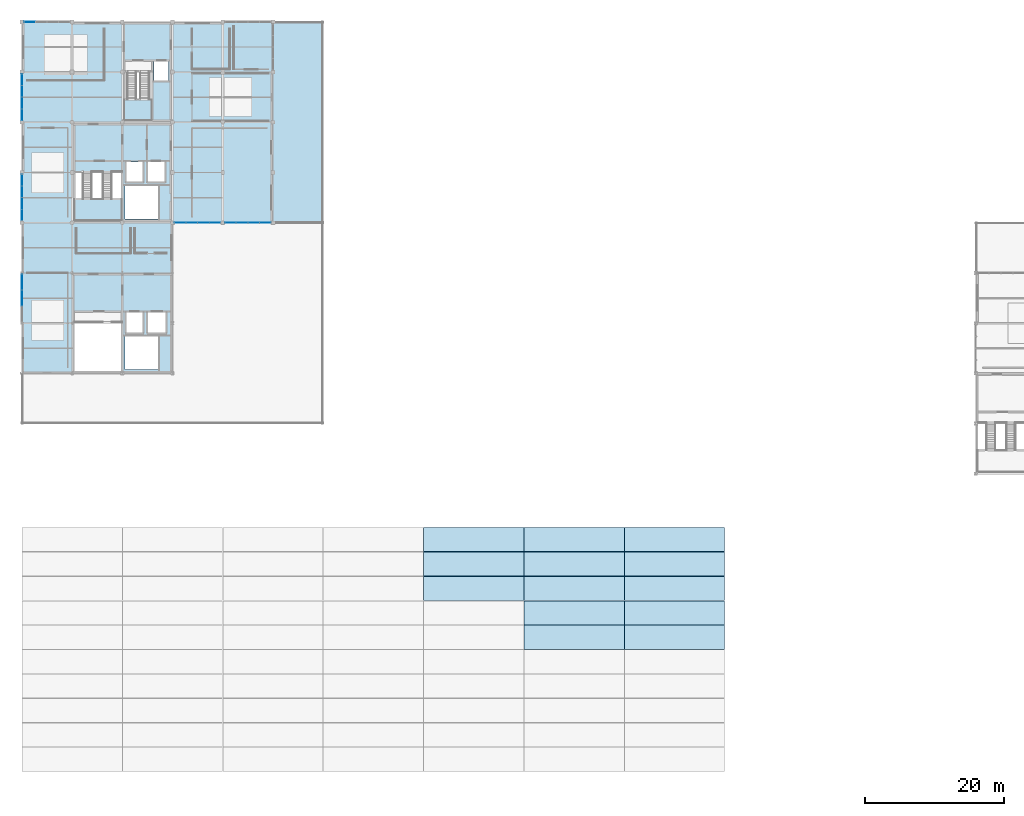
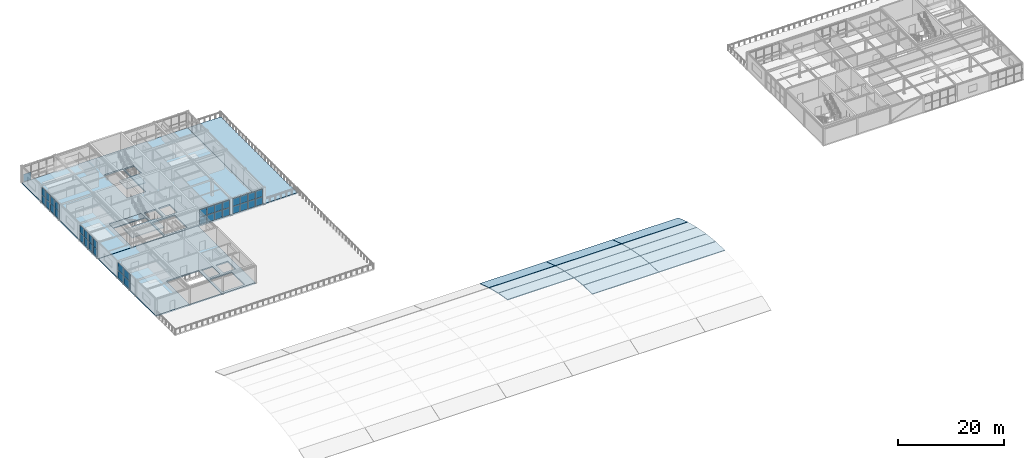
# One storey, part 15 of 30: 37 plates, 19 slabs, 8 elements without a shape of their own.
"""IFC4 building model written with IfcOpenShell, lengths in metres."""

from ifc_helpers import new_model, si_unit, direction, frame, origin, origin_2d, place, context, subcontext, project, spatial, polyline, rectangle, outline, extrude, material, layer, layer_set, type_object, element, aggregate, save


model = new_model("IFC4")

# Units and contexts
model_context = context("Model", 3, precision=1e-05, world=origin(), true_north=direction((0.0, 1.0)))
body_context = subcontext(model_context, "Body", "Model", "MODEL_VIEW")
ifc_project = project(units=[si_unit("LENGTHUNIT", "METRE"), si_unit("AREAUNIT", "SQUARE_METRE"), si_unit("VOLUMEUNIT", "CUBIC_METRE"), si_unit("PLANEANGLEUNIT", "RADIAN"), si_unit("MASSUNIT", "GRAM", prefix="KILO")], contexts=[model_context])

# Site, building, storey
site_placement = place(None, origin())
site = spatial("IfcSite", under=ifc_project, at=site_placement, CompositionType="ELEMENT")
building_placement = place(site_placement, origin())
building = spatial("IfcBuilding", under=site, at=building_placement, Name="Leyfeld Transit Interchange", CompositionType="ELEMENT")
storey_placement = place(building_placement, frame((0.0, 0.0, 13.800048828125)))
storey = spatial("IfcBuildingStorey", under=building, at=storey_placement, Name="L03", CompositionType="ELEMENT", Elevation=13.800048828125)

# Curtain wall, plates
ifc_material_1 = material(Name="Anodised aluminium EN AW-6060 T66", Category="aluminium")
curtain_wall_type_1 = type_object("IfcCurtainWallType", Name="CW-SYS-CYC-7200", PredefinedType="NOTDEFINED", material=ifc_material_1)
curtain_wall_1_placement = place(storey_placement, origin())
curtain_wall_1 = element("IfcCurtainWall", 1, at=curtain_wall_1_placement, inside=storey, type_object=curtain_wall_type_1, Name="Curtain Wall CW-L03-120", PredefinedType="NOTDEFINED")
ifc_material_2 = material(Name="Triple low-E insulated glazing", Category="glass")
ifc_layer_1 = layer(ifc_material_2, 0.0380859375, Name="Triple low-E insulated glazing")
ifc_layer_set_1 = layer_set([ifc_layer_1], Name="Triple low-E insulated glazing")
plate_type_1 = type_object("IfcPlateType", Name="CW-PNL-GLZ-38", PredefinedType="CURTAIN_PANEL", material=ifc_layer_set_1)
plate_1_placement = place(storey_placement, frame((0.0, 82.79248046875, 0.0634765625), z_axis=(0.0, 0.0, 1.0), x_axis=(0.0, 1.0, 0.0)))
plate_1 = element("IfcPlate", 2, at=plate_1_placement, type_object=plate_type_1, Name="Glazed Curtain Panel CW-L03-120-P02_1", PredefinedType="CURTAIN_PANEL", context=body_context, shape_type="SweptSolid", body=[
    extrude(rectangle(XDim=2.246337890625, YDim=0.0380859375, at=origin_2d()), origin(), (0.0, 0.0, 1.0), 1.74560546875),
])
plate_2_placement = place(storey_placement, frame((0.0, 82.79248046875, 1.870849609375), z_axis=(0.0, 0.0, 1.0), x_axis=(0.0, 1.0, 0.0)))
plate_2 = element("IfcPlate", 3, at=plate_2_placement, type_object=plate_type_1, Name="Glazed Curtain Panel CW-L03-120-P02_2", PredefinedType="CURTAIN_PANEL", context=body_context, shape_type="SweptSolid", body=[
    extrude(rectangle(XDim=2.246337890625, YDim=0.0380859375, at=origin_2d()), origin(), (0.0, 0.0, 1.0), 1.74560546875),
])
plate_3_placement = place(storey_placement, frame((0.0, 85.084716796875, 0.0634765625), z_axis=(0.0, 0.0, 1.0), x_axis=(0.0, 1.0, 0.0)))
plate_3 = element("IfcPlate", 4, at=plate_3_placement, type_object=plate_type_1, Name="Glazed Curtain Panel CW-L03-120-P03_1", PredefinedType="CURTAIN_PANEL", context=body_context, shape_type="SweptSolid", body=[
    extrude(rectangle(XDim=2.2138671875, YDim=0.0380859375, at=origin_2d()), origin(), (0.0, 0.0, 1.0), 1.74560546875),
])
plate_4_placement = place(storey_placement, frame((0.0, 85.084716796875, 1.870849609375), z_axis=(0.0, 0.0, 1.0), x_axis=(0.0, 1.0, 0.0)))
plate_4 = element("IfcPlate", 5, at=plate_4_placement, type_object=plate_type_1, Name="Glazed Curtain Panel CW-L03-120-P03_2", PredefinedType="CURTAIN_PANEL", context=body_context, shape_type="SweptSolid", body=[
    extrude(rectangle(XDim=2.2138671875, YDim=0.0380859375, at=origin_2d()), origin(), (0.0, 0.0, 1.0), 1.74560546875),
])
aggregate(curtain_wall_1, [plate_1, plate_2, plate_3, plate_4])

curtain_wall_type_2 = type_object("IfcCurtainWallType", Name="CW-SYS-OPS-7200", PredefinedType="NOTDEFINED", material=ifc_material_1)
curtain_wall_2_placement = place(storey_placement, origin())
curtain_wall_2 = element("IfcCurtainWall", 6, at=curtain_wall_2_placement, inside=storey, type_object=curtain_wall_type_2, Name="Curtain Wall CW-L03-121", PredefinedType="NOTDEFINED")
ifc_layer_2 = layer(ifc_material_2, 0.0439453125, Name="Triple low-E insulated glazing")
ifc_layer_set_2 = layer_set([ifc_layer_2], Name="Triple low-E insulated glazing")
plate_type_2 = type_object("IfcPlateType", Name="CW-PNL-GLZ-44", PredefinedType="CURTAIN_PANEL", material=ifc_layer_set_2)
plate_5_placement = place(storey_placement, frame((0.0, 94.715087890625, 0.0634765625), z_axis=(0.0, 0.0, 1.0), x_axis=(0.0, 1.0, 0.0)))
plate_5 = element("IfcPlate", 7, at=plate_5_placement, type_object=plate_type_2, Name="Glazed Curtain Panel CW-L03-121-P01_1", PredefinedType="CURTAIN_PANEL", context=body_context, shape_type="SweptSolid", body=[
    extrude(rectangle(XDim=1.572998046875, YDim=0.0439453125, at=origin_2d()), origin(), (0.0, 0.0, 1.0), 1.70556640625),
])
plate_6_placement = place(storey_placement, frame((0.0, 94.715087890625, 1.8310546875), z_axis=(0.0, 0.0, 1.0), x_axis=(0.0, 1.0, 0.0)))
plate_6 = element("IfcPlate", 8, at=plate_6_placement, type_object=plate_type_2, Name="Glazed Curtain Panel CW-L03-121-P01_2", PredefinedType="CURTAIN_PANEL", context=body_context, shape_type="SweptSolid", body=[
    extrude(rectangle(XDim=1.572998046875, YDim=0.0439453125, at=origin_2d()), origin(), (0.0, 0.0, 1.0), 1.70556640625),
])
plate_7_placement = place(storey_placement, frame((0.0, 96.3662109375, 0.0634765625), z_axis=(0.0, 0.0, 1.0), x_axis=(0.0, 1.0, 0.0)))
plate_7 = element("IfcPlate", 9, at=plate_7_placement, type_object=plate_type_2, Name="Glazed Curtain Panel CW-L03-121-P02_1", PredefinedType="CURTAIN_PANEL", context=body_context, shape_type="SweptSolid", body=[
    extrude(rectangle(XDim=1.60546875, YDim=0.0439453125, at=origin_2d()), origin(), (0.0, 0.0, 1.0), 1.70556640625),
])
plate_8_placement = place(storey_placement, frame((0.0, 96.3662109375, 1.8310546875), z_axis=(0.0, 0.0, 1.0), x_axis=(0.0, 1.0, 0.0)))
plate_8 = element("IfcPlate", 10, at=plate_8_placement, type_object=plate_type_2, Name="Glazed Curtain Panel CW-L03-121-P02_2", PredefinedType="CURTAIN_PANEL", context=body_context, shape_type="SweptSolid", body=[
    extrude(rectangle(XDim=1.60546875, YDim=0.0439453125, at=origin_2d()), origin(), (0.0, 0.0, 1.0), 1.70556640625),
])
plate_9_placement = place(storey_placement, frame((0.0, 98.03369140625, 0.0634765625), z_axis=(0.0, 0.0, 1.0), x_axis=(0.0, 1.0, 0.0)))
plate_9 = element("IfcPlate", 11, at=plate_9_placement, type_object=plate_type_2, Name="Glazed Curtain Panel CW-L03-121-P03_1", PredefinedType="CURTAIN_PANEL", context=body_context, shape_type="SweptSolid", body=[
    extrude(rectangle(XDim=1.60546875, YDim=0.0439453125, at=origin_2d()), origin(), (0.0, 0.0, 1.0), 1.70556640625),
])
plate_10_placement = place(storey_placement, frame((0.0, 98.03369140625, 1.8310546875), z_axis=(0.0, 0.0, 1.0), x_axis=(0.0, 1.0, 0.0)))
plate_10 = element("IfcPlate", 12, at=plate_10_placement, type_object=plate_type_2, Name="Glazed Curtain Panel CW-L03-121-P03_2", PredefinedType="CURTAIN_PANEL", context=body_context, shape_type="SweptSolid", body=[
    extrude(rectangle(XDim=1.60546875, YDim=0.0439453125, at=origin_2d()), origin(), (0.0, 0.0, 1.0), 1.70556640625),
])
plate_11_placement = place(storey_placement, frame((0.0, 99.68505859375, 0.0634765625), z_axis=(0.0, 0.0, 1.0), x_axis=(0.0, 1.0, 0.0)))
plate_11 = element("IfcPlate", 13, at=plate_11_placement, type_object=plate_type_2, Name="Glazed Curtain Panel CW-L03-121-P04_1", PredefinedType="CURTAIN_PANEL", context=body_context, shape_type="SweptSolid", body=[
    extrude(rectangle(XDim=1.572998046875, YDim=0.0439453125, at=origin_2d()), origin(), (0.0, 0.0, 1.0), 1.70556640625),
])
plate_12_placement = place(storey_placement, frame((0.0, 99.68505859375, 1.8310546875), z_axis=(0.0, 0.0, 1.0), x_axis=(0.0, 1.0, 0.0)))
plate_12 = element("IfcPlate", 14, at=plate_12_placement, type_object=plate_type_2, Name="Glazed Curtain Panel CW-L03-121-P04_2", PredefinedType="CURTAIN_PANEL", context=body_context, shape_type="SweptSolid", body=[
    extrude(rectangle(XDim=1.572998046875, YDim=0.0439453125, at=origin_2d()), origin(), (0.0, 0.0, 1.0), 1.70556640625),
])
aggregate(curtain_wall_2, [plate_5, plate_6, plate_7, plate_8, plate_9, plate_10, plate_11, plate_12])

curtain_wall_3_placement = place(storey_placement, origin())
curtain_wall_3 = element("IfcCurtainWall", 15, at=curtain_wall_3_placement, inside=storey, type_object=curtain_wall_type_2, Name="Curtain Wall CW-L03-122", PredefinedType="NOTDEFINED")
plate_13_placement = place(storey_placement, frame((0.0, 109.114990234375, 0.0634765625), z_axis=(0.0, 0.0, 1.0), x_axis=(0.0, 1.0, 0.0)))
plate_13 = element("IfcPlate", 16, at=plate_13_placement, type_object=plate_type_2, Name="Glazed Curtain Panel CW-L03-122-P01_1", PredefinedType="CURTAIN_PANEL", context=body_context, shape_type="SweptSolid", body=[
    extrude(rectangle(XDim=1.572998046875, YDim=0.0439453125, at=origin_2d()), origin(), (0.0, 0.0, 1.0), 1.70556640625),
])
plate_14_placement = place(storey_placement, frame((0.0, 109.114990234375, 1.8310546875), z_axis=(0.0, 0.0, 1.0), x_axis=(0.0, 1.0, 0.0)))
plate_14 = element("IfcPlate", 17, at=plate_14_placement, type_object=plate_type_2, Name="Glazed Curtain Panel CW-L03-122-P01_2", PredefinedType="CURTAIN_PANEL", context=body_context, shape_type="SweptSolid", body=[
    extrude(rectangle(XDim=1.572998046875, YDim=0.0439453125, at=origin_2d()), origin(), (0.0, 0.0, 1.0), 1.70556640625),
])
plate_15_placement = place(storey_placement, frame((0.0, 110.76611328125, 0.0634765625), z_axis=(0.0, 0.0, 1.0), x_axis=(0.0, 1.0, 0.0)))
plate_15 = element("IfcPlate", 18, at=plate_15_placement, type_object=plate_type_2, Name="Glazed Curtain Panel CW-L03-122-P02_1", PredefinedType="CURTAIN_PANEL", context=body_context, shape_type="SweptSolid", body=[
    extrude(rectangle(XDim=1.60546875, YDim=0.0439453125, at=origin_2d()), origin(), (0.0, 0.0, 1.0), 1.70556640625),
])
plate_16_placement = place(storey_placement, frame((0.0, 110.76611328125, 1.8310546875), z_axis=(0.0, 0.0, 1.0), x_axis=(0.0, 1.0, 0.0)))
plate_16 = element("IfcPlate", 19, at=plate_16_placement, type_object=plate_type_2, Name="Glazed Curtain Panel CW-L03-122-P02_2", PredefinedType="CURTAIN_PANEL", context=body_context, shape_type="SweptSolid", body=[
    extrude(rectangle(XDim=1.60546875, YDim=0.0439453125, at=origin_2d()), origin(), (0.0, 0.0, 1.0), 1.70556640625),
])
plate_17_placement = place(storey_placement, frame((0.0, 112.433837890625, 0.0634765625), z_axis=(0.0, 0.0, 1.0), x_axis=(0.0, 1.0, 0.0)))
plate_17 = element("IfcPlate", 20, at=plate_17_placement, type_object=plate_type_2, Name="Glazed Curtain Panel CW-L03-122-P03_1", PredefinedType="CURTAIN_PANEL", context=body_context, shape_type="SweptSolid", body=[
    extrude(rectangle(XDim=1.60546875, YDim=0.0439453125, at=origin_2d()), origin(), (0.0, 0.0, 1.0), 1.70556640625),
])
plate_18_placement = place(storey_placement, frame((0.0, 112.433837890625, 1.8310546875), z_axis=(0.0, 0.0, 1.0), x_axis=(0.0, 1.0, 0.0)))
plate_18 = element("IfcPlate", 21, at=plate_18_placement, type_object=plate_type_2, Name="Glazed Curtain Panel CW-L03-122-P03_2", PredefinedType="CURTAIN_PANEL", context=body_context, shape_type="SweptSolid", body=[
    extrude(rectangle(XDim=1.60546875, YDim=0.0439453125, at=origin_2d()), origin(), (0.0, 0.0, 1.0), 1.70556640625),
])
plate_19_placement = place(storey_placement, frame((0.0, 114.0849609375, 0.0634765625), z_axis=(0.0, 0.0, 1.0), x_axis=(0.0, 1.0, 0.0)))
plate_19 = element("IfcPlate", 22, at=plate_19_placement, type_object=plate_type_2, Name="Glazed Curtain Panel CW-L03-122-P04_1", PredefinedType="CURTAIN_PANEL", context=body_context, shape_type="SweptSolid", body=[
    extrude(rectangle(XDim=1.572998046875, YDim=0.0439453125, at=origin_2d()), origin(), (0.0, 0.0, 1.0), 1.70556640625),
])
plate_20_placement = place(storey_placement, frame((0.0, 114.0849609375, 1.8310546875), z_axis=(0.0, 0.0, 1.0), x_axis=(0.0, 1.0, 0.0)))
plate_20 = element("IfcPlate", 23, at=plate_20_placement, type_object=plate_type_2, Name="Glazed Curtain Panel CW-L03-122-P04_2", PredefinedType="CURTAIN_PANEL", context=body_context, shape_type="SweptSolid", body=[
    extrude(rectangle(XDim=1.572998046875, YDim=0.0439453125, at=origin_2d()), origin(), (0.0, 0.0, 1.0), 1.70556640625),
])
aggregate(curtain_wall_3, [plate_13, plate_14, plate_15, plate_16, plate_17, plate_18, plate_19, plate_20])

# Curtain wall, plate
curtain_wall_4_placement = place(storey_placement, origin())
curtain_wall_4 = element("IfcCurtainWall", 24, at=curtain_wall_4_placement, inside=storey, type_object=curtain_wall_type_2, Name="Curtain Wall CW-L03-123", PredefinedType="NOTDEFINED")
plate_21_placement = place(storey_placement, frame((1.114990234375, 122.39990234375, 0.0634765625), z_axis=(0.0, 0.0, 1.0), x_axis=(1.0, 0.0, 0.0)))
plate_21 = element("IfcPlate", 25, at=plate_21_placement, type_object=plate_type_2, Name="Glazed Curtain Panel CW-L03-123-P01_1", PredefinedType="CURTAIN_PANEL", context=body_context, shape_type="SweptSolid", body=[
    extrude(rectangle(XDim=1.572998046875, YDim=0.0439453125, at=origin_2d()), origin(), (0.0, 0.0, 1.0), 1.70556640625),
])
aggregate(curtain_wall_4, [plate_21])

# Curtain wall, plates
curtain_wall_5_placement = place(storey_placement, origin())
curtain_wall_5 = element("IfcCurtainWall", 26, at=curtain_wall_5_placement, inside=storey, type_object=curtain_wall_type_2, Name="Curtain Wall CW-L03-126", PredefinedType="NOTDEFINED")
plate_22_placement = place(storey_placement, frame((34.885009765625, 93.60009765625, 0.0634765625), z_axis=(0.0, 0.0, 1.0), x_axis=(-1.0, 0.0, 0.0)))
plate_22 = element("IfcPlate", 27, at=plate_22_placement, type_object=plate_type_2, Name="Glazed Curtain Panel CW-L03-126-P01_1", PredefinedType="CURTAIN_PANEL", context=body_context, shape_type="SweptSolid", body=[
    extrude(rectangle(XDim=1.572998046875, YDim=0.0439453125, at=origin_2d()), origin(), (0.0, 0.0, 1.0), 1.70556640625),
])
plate_23_placement = place(storey_placement, frame((34.885009765625, 93.60009765625, 1.8310546875), z_axis=(0.0, 0.0, 1.0), x_axis=(-1.0, 0.0, 0.0)))
plate_23 = element("IfcPlate", 28, at=plate_23_placement, type_object=plate_type_2, Name="Glazed Curtain Panel CW-L03-126-P01_2", PredefinedType="CURTAIN_PANEL", context=body_context, shape_type="SweptSolid", body=[
    extrude(rectangle(XDim=1.572998046875, YDim=0.0439453125, at=origin_2d()), origin(), (0.0, 0.0, 1.0), 1.70556640625),
])
plate_24_placement = place(storey_placement, frame((33.23388671875, 93.60009765625, 0.0634765625), z_axis=(0.0, 0.0, 1.0), x_axis=(-1.0, 0.0, 0.0)))
plate_24 = element("IfcPlate", 29, at=plate_24_placement, type_object=plate_type_2, Name="Glazed Curtain Panel CW-L03-126-P02_1", PredefinedType="CURTAIN_PANEL", context=body_context, shape_type="SweptSolid", body=[
    extrude(rectangle(XDim=1.60546875, YDim=0.0439453125, at=origin_2d()), origin(), (0.0, 0.0, 1.0), 1.70556640625),
])
plate_25_placement = place(storey_placement, frame((33.23388671875, 93.60009765625, 1.8310546875), z_axis=(0.0, 0.0, 1.0), x_axis=(-1.0, 0.0, 0.0)))
plate_25 = element("IfcPlate", 30, at=plate_25_placement, type_object=plate_type_2, Name="Glazed Curtain Panel CW-L03-126-P02_2", PredefinedType="CURTAIN_PANEL", context=body_context, shape_type="SweptSolid", body=[
    extrude(rectangle(XDim=1.60546875, YDim=0.0439453125, at=origin_2d()), origin(), (0.0, 0.0, 1.0), 1.70556640625),
])
plate_26_placement = place(storey_placement, frame((31.56640625, 93.60009765625, 0.0634765625), z_axis=(0.0, 0.0, 1.0), x_axis=(-1.0, 0.0, 0.0)))
plate_26 = element("IfcPlate", 31, at=plate_26_placement, type_object=plate_type_2, Name="Glazed Curtain Panel CW-L03-126-P03_1", PredefinedType="CURTAIN_PANEL", context=body_context, shape_type="SweptSolid", body=[
    extrude(rectangle(XDim=1.60546875, YDim=0.0439453125, at=origin_2d()), origin(), (0.0, 0.0, 1.0), 1.70556640625),
])
plate_27_placement = place(storey_placement, frame((31.56640625, 93.60009765625, 1.8310546875), z_axis=(0.0, 0.0, 1.0), x_axis=(-1.0, 0.0, 0.0)))
plate_27 = element("IfcPlate", 32, at=plate_27_placement, type_object=plate_type_2, Name="Glazed Curtain Panel CW-L03-126-P03_2", PredefinedType="CURTAIN_PANEL", context=body_context, shape_type="SweptSolid", body=[
    extrude(rectangle(XDim=1.60546875, YDim=0.0439453125, at=origin_2d()), origin(), (0.0, 0.0, 1.0), 1.70556640625),
])
plate_28_placement = place(storey_placement, frame((29.9150390625, 93.60009765625, 0.0634765625), z_axis=(0.0, 0.0, 1.0), x_axis=(-1.0, 0.0, 0.0)))
plate_28 = element("IfcPlate", 33, at=plate_28_placement, type_object=plate_type_2, Name="Glazed Curtain Panel CW-L03-126-P04_1", PredefinedType="CURTAIN_PANEL", context=body_context, shape_type="SweptSolid", body=[
    extrude(rectangle(XDim=1.572998046875, YDim=0.0439453125, at=origin_2d()), origin(), (0.0, 0.0, 1.0), 1.70556640625),
])
plate_29_placement = place(storey_placement, frame((29.9150390625, 93.60009765625, 1.8310546875), z_axis=(0.0, 0.0, 1.0), x_axis=(-1.0, 0.0, 0.0)))
plate_29 = element("IfcPlate", 34, at=plate_29_placement, type_object=plate_type_2, Name="Glazed Curtain Panel CW-L03-126-P04_2", PredefinedType="CURTAIN_PANEL", context=body_context, shape_type="SweptSolid", body=[
    extrude(rectangle(XDim=1.572998046875, YDim=0.0439453125, at=origin_2d()), origin(), (0.0, 0.0, 1.0), 1.70556640625),
])
aggregate(curtain_wall_5, [plate_22, plate_23, plate_24, plate_25, plate_26, plate_27, plate_28, plate_29])

curtain_wall_6_placement = place(storey_placement, origin())
curtain_wall_6 = element("IfcCurtainWall", 35, at=curtain_wall_6_placement, inside=storey, type_object=curtain_wall_type_2, Name="Curtain Wall CW-L03-127", PredefinedType="NOTDEFINED")
plate_30_placement = place(storey_placement, frame((27.68505859375, 93.60009765625, 0.0634765625), z_axis=(0.0, 0.0, 1.0), x_axis=(-1.0, 0.0, 0.0)))
plate_30 = element("IfcPlate", 36, at=plate_30_placement, type_object=plate_type_2, Name="Glazed Curtain Panel CW-L03-127-P01_1", PredefinedType="CURTAIN_PANEL", context=body_context, shape_type="SweptSolid", body=[
    extrude(rectangle(XDim=1.572998046875, YDim=0.0439453125, at=origin_2d()), origin(), (0.0, 0.0, 1.0), 1.70556640625),
])
plate_31_placement = place(storey_placement, frame((27.68505859375, 93.60009765625, 1.8310546875), z_axis=(0.0, 0.0, 1.0), x_axis=(-1.0, 0.0, 0.0)))
plate_31 = element("IfcPlate", 37, at=plate_31_placement, type_object=plate_type_2, Name="Glazed Curtain Panel CW-L03-127-P01_2", PredefinedType="CURTAIN_PANEL", context=body_context, shape_type="SweptSolid", body=[
    extrude(rectangle(XDim=1.572998046875, YDim=0.0439453125, at=origin_2d()), origin(), (0.0, 0.0, 1.0), 1.70556640625),
])
plate_32_placement = place(storey_placement, frame((26.03369140625, 93.60009765625, 0.0634765625), z_axis=(0.0, 0.0, 1.0), x_axis=(-1.0, 0.0, 0.0)))
plate_32 = element("IfcPlate", 38, at=plate_32_placement, type_object=plate_type_2, Name="Glazed Curtain Panel CW-L03-127-P02_1", PredefinedType="CURTAIN_PANEL", context=body_context, shape_type="SweptSolid", body=[
    extrude(rectangle(XDim=1.60546875, YDim=0.0439453125, at=origin_2d()), origin(), (0.0, 0.0, 1.0), 1.70556640625),
])
plate_33_placement = place(storey_placement, frame((26.03369140625, 93.60009765625, 1.8310546875), z_axis=(0.0, 0.0, 1.0), x_axis=(-1.0, 0.0, 0.0)))
plate_33 = element("IfcPlate", 39, at=plate_33_placement, type_object=plate_type_2, Name="Glazed Curtain Panel CW-L03-127-P02_2", PredefinedType="CURTAIN_PANEL", context=body_context, shape_type="SweptSolid", body=[
    extrude(rectangle(XDim=1.60546875, YDim=0.0439453125, at=origin_2d()), origin(), (0.0, 0.0, 1.0), 1.70556640625),
])
plate_34_placement = place(storey_placement, frame((24.3662109375, 93.60009765625, 0.0634765625), z_axis=(0.0, 0.0, 1.0), x_axis=(-1.0, 0.0, 0.0)))
plate_34 = element("IfcPlate", 40, at=plate_34_placement, type_object=plate_type_2, Name="Glazed Curtain Panel CW-L03-127-P03_1", PredefinedType="CURTAIN_PANEL", context=body_context, shape_type="SweptSolid", body=[
    extrude(rectangle(XDim=1.60546875, YDim=0.0439453125, at=origin_2d()), origin(), (0.0, 0.0, 1.0), 1.70556640625),
])
plate_35_placement = place(storey_placement, frame((24.3662109375, 93.60009765625, 1.8310546875), z_axis=(0.0, 0.0, 1.0), x_axis=(-1.0, 0.0, 0.0)))
plate_35 = element("IfcPlate", 41, at=plate_35_placement, type_object=plate_type_2, Name="Glazed Curtain Panel CW-L03-127-P03_2", PredefinedType="CURTAIN_PANEL", context=body_context, shape_type="SweptSolid", body=[
    extrude(rectangle(XDim=1.60546875, YDim=0.0439453125, at=origin_2d()), origin(), (0.0, 0.0, 1.0), 1.70556640625),
])
plate_36_placement = place(storey_placement, frame((22.715087890625, 93.60009765625, 0.0634765625), z_axis=(0.0, 0.0, 1.0), x_axis=(-1.0, 0.0, 0.0)))
plate_36 = element("IfcPlate", 42, at=plate_36_placement, type_object=plate_type_2, Name="Glazed Curtain Panel CW-L03-127-P04_1", PredefinedType="CURTAIN_PANEL", context=body_context, shape_type="SweptSolid", body=[
    extrude(rectangle(XDim=1.572998046875, YDim=0.0439453125, at=origin_2d()), origin(), (0.0, 0.0, 1.0), 1.70556640625),
])
plate_37_placement = place(storey_placement, frame((22.715087890625, 93.60009765625, 1.8310546875), z_axis=(0.0, 0.0, 1.0), x_axis=(-1.0, 0.0, 0.0)))
plate_37 = element("IfcPlate", 43, at=plate_37_placement, type_object=plate_type_2, Name="Glazed Curtain Panel CW-L03-127-P04_2", PredefinedType="CURTAIN_PANEL", context=body_context, shape_type="SweptSolid", body=[
    extrude(rectangle(XDim=1.572998046875, YDim=0.0439453125, at=origin_2d()), origin(), (0.0, 0.0, 1.0), 1.70556640625),
])
aggregate(curtain_wall_6, [plate_30, plate_31, plate_32, plate_33, plate_34, plate_35, plate_36, plate_37])

# Slabs
ifc_material_3 = material(Name="Concrete C35/45", Category="concrete")
ifc_layer_3 = layer(ifc_material_3, 0.280029296875, Name="Concrete C35/45")
ifc_layer_set_3 = layer_set([ifc_layer_3], Name="Concrete C35/45")
slab_type_1 = type_object("IfcSlabType", Name="SLB-FLR-280", PredefinedType="FLOOR", material=ifc_layer_set_3)
slab_1_placement = place(storey_placement, frame((0.0, 0.0, -0.280029296875)))
element("IfcSlab", 44, at=slab_1_placement, inside=storey, type_object=slab_type_1, Name="Slab V3 L03 B1", PredefinedType="FLOOR", context=body_context, shape_type="SweptSolid", body=[
    extrude(outline(polyline([(21.60009765625, 93.574951171875), (0.0, 93.574951171875), (0.0, 72.0), (21.60009765625, 72.0), (21.60009765625, 93.574951171875)]), holes=[polyline([(7.375, 72.175048828125), (7.375, 80.85009765625), (14.39990234375, 80.85009765625), (14.39990234375, 72.175048828125), (7.375, 72.175048828125)]), polyline([(14.75, 77.320068359375), (19.550048828125, 77.320068359375), (19.550048828125, 72.550048828125), (14.75, 72.550048828125), (14.75, 77.320068359375)]), polyline([(17.35009765625, 80.699951171875), (17.35009765625, 77.85009765625), (14.949951171875, 77.85009765625), (14.949951171875, 80.699951171875), (17.35009765625, 80.699951171875)]), polyline([(20.64990234375, 77.85009765625), (18.050048828125, 77.85009765625), (18.050048828125, 80.699951171875), (20.64990234375, 80.699951171875), (20.64990234375, 77.85009765625)])]), origin(), (0.0, 0.0, 1.0), 0.280029296875),
])
ifc_layer_4 = layer(ifc_material_3, 0.320068359375, Name="Concrete C35/45")
ifc_layer_set_4 = layer_set([ifc_layer_4], Name="Concrete C35/45")
slab_type_2 = type_object("IfcSlabType", Name="SLB-FLR-320", PredefinedType="FLOOR", material=ifc_layer_set_4)
slab_2_placement = place(storey_placement, frame((0.0, 0.0, -0.320068359375)))
element("IfcSlab", 45, at=slab_2_placement, inside=storey, type_object=slab_type_2, Name="Slab V5 L03 B1", PredefinedType="FLOOR", context=body_context, shape_type="SweptSolid", body=[
    extrude(outline(polyline([(0.0, 122.39990234375), (0.0, 93.625), (36.0, 93.625), (36.0, 122.39990234375), (0.0, 122.39990234375)]), holes=[polyline([(7.425048828125, 102.449951171875), (14.39990234375, 102.449951171875), (14.39990234375, 93.824951171875), (7.425048828125, 93.824951171875), (7.425048828125, 102.449951171875)]), polyline([(19.550048828125, 98.919921875), (19.550048828125, 94.14990234375), (14.75, 94.14990234375), (14.75, 98.919921875), (19.550048828125, 98.919921875)]), polyline([(17.35009765625, 99.449951171875), (14.949951171875, 99.449951171875), (14.949951171875, 102.300048828125), (17.35009765625, 102.300048828125), (17.35009765625, 99.449951171875)]), polyline([(18.050048828125, 99.449951171875), (18.050048828125, 102.300048828125), (20.449951171875, 102.300048828125), (20.449951171875, 99.449951171875), (18.050048828125, 99.449951171875)]), polyline([(14.60009765625, 116.85009765625), (18.699951171875, 116.85009765625), (18.699951171875, 108.199951171875), (14.60009765625, 108.199951171875), (14.60009765625, 116.85009765625)]), polyline([(21.050048828125, 116.699951171875), (21.050048828125, 113.949951171875), (18.949951171875, 113.949951171875), (18.949951171875, 116.699951171875), (21.050048828125, 116.699951171875)])]), origin(), (0.0, 0.0, 1.0), 0.320068359375),
])
ifc_material_4 = material(Name="Precast concrete C40/50", Category="concrete")
ifc_layer_5 = layer(ifc_material_4, 0.199951171875, Name="Precast concrete C40/50")
ifc_layer_set_5 = layer_set([ifc_layer_5], Name="Precast concrete C40/50")
slab_type_3 = type_object("IfcSlabType", Name="SLB-LND-200", PredefinedType="LANDING", material=ifc_layer_set_5)
slab_3_placement = place(storey_placement, frame((0.0, 0.0, -0.199951171875)))
element("IfcSlab", 46, at=slab_3_placement, inside=storey, type_object=slab_type_3, Name="Core K1 Stair Floor Landing L03", PredefinedType="LANDING", context=body_context, shape_type="SweptSolid", body=[
    extrude(outline(polyline([(7.429931640625, 100.89990234375), (14.39501953125, 100.89990234375), (14.39501953125, 102.445068359375), (7.429931640625, 102.445068359375), (7.429931640625, 100.89990234375)])), origin(), (0.0, 0.0, 1.0), 0.199951171875),
])

# Stair, slab
stair_type_1 = type_object("IfcStairType", Name="STR-HT-150x300", PredefinedType="HALF_TURN_STAIR", material=ifc_material_4)
stair_1_placement = place(storey_placement, origin())
stair_1 = element("IfcStair", 47, at=stair_1_placement, inside=storey, type_object=stair_type_1, Name="Exit Stair ST-01 (L03 to L04)", PredefinedType="HALF_TURN_STAIR")
slab_4_placement = place(storey_placement, frame((0.0, 0.0, 1.89990234375)))
slab_4 = element("IfcSlab", 48, at=slab_4_placement, type_object=slab_type_3, Name="Stair ST-01 L03 Half Landing", PredefinedType="LANDING", context=body_context, shape_type="SweptSolid", body=[
    extrude(outline(polyline([(7.429931640625, 93.830078125), (14.39501953125, 93.830078125), (14.39501953125, 97.0), (7.429931640625, 97.0), (7.429931640625, 93.830078125)])), origin(), (0.0, 0.0, 1.0), 0.199951171875),
])
aggregate(stair_1, [slab_4])

stair_type_2 = type_object("IfcStairType", Name="STR-HT-150x310", PredefinedType="HALF_TURN_STAIR", material=ifc_material_4)
stair_2_placement = place(storey_placement, origin())
stair_2 = element("IfcStair", 49, at=stair_2_placement, inside=storey, type_object=stair_type_2, Name="Exit Stair ST-02 (L03 to L04)", PredefinedType="HALF_TURN_STAIR")
slab_5_placement = place(storey_placement, frame((0.0, 0.0, 1.89990234375)))
slab_5 = element("IfcSlab", 50, at=slab_5_placement, type_object=slab_type_3, Name="Stair ST-02 L03 Half Landing", PredefinedType="LANDING", context=body_context, shape_type="SweptSolid", body=[
    extrude(outline(polyline([(14.60498046875, 108.205078125), (18.695068359375, 108.205078125), (18.695068359375, 111.27001953125), (14.60498046875, 111.27001953125), (14.60498046875, 108.205078125)])), origin(), (0.0, 0.0, 1.0), 0.199951171875),
])
aggregate(stair_2, [slab_5])

# Slabs
ifc_layer_6 = layer(ifc_material_3, 0.260009765625, Name="Concrete C35/45")
ifc_layer_set_6 = layer_set([ifc_layer_6], Name="Concrete C35/45")
slab_type_4 = type_object("IfcSlabType", Name="SLB-TERR-260", PredefinedType="FLOOR", material=ifc_layer_set_6)
slab_6_placement = place(storey_placement, frame((0.0, 0.0, -0.260009765625)))
element("IfcSlab", 51, at=slab_6_placement, inside=storey, type_object=slab_type_4, Name="Outdoor Roof Terrace V5_TERR L03", PredefinedType="FLOOR", context=body_context, shape_type="SweptSolid", body=[
    extrude(outline(polyline([(36.0, 93.625), (43.199951171875, 93.625), (43.199951171875, 122.39990234375), (36.0, 122.39990234375), (36.0, 93.625)])), origin(), (0.0, 0.0, 1.0), 0.260009765625),
])
ifc_material_5 = material(Name="Concrete C40/50", Category="concrete")
ifc_layer_7 = layer(ifc_material_5, 0.159912109375, Name="Concrete C40/50")
ifc_layer_set_7 = layer_set([ifc_layer_7], Name="Concrete C40/50")
slab_type_5 = type_object("IfcSlabType", Name="SLB-VAULT-160", PredefinedType="ROOF", material=ifc_layer_set_7)
slab_7_placement = place(storey_placement, frame((57.610107421875, 39.419921875, 3.280029296875), z_axis=(0.0, 0.175136592588, 0.984544145245), x_axis=(1.0, 0.0, 0.0)))
element("IfcSlab", 52, at=slab_7_placement, inside=storey, type_object=slab_type_5, Name="Concourse Barrel Vault Shell B5 F11", PredefinedType="ROOF", context=body_context, shape_type="SweptSolid", body=[
    extrude(outline(polyline([(0.0, 0.0), (14.3798828125, 0.0), (14.3798828125, 3.514277093830512), (0.0, 3.514277093830512), (0.0, 0.0)])), origin(), (0.0, 0.0, -1.0), 0.159912109375),
])
slab_8_placement = place(storey_placement, frame((57.610107421875, 42.919921875, 2.656005859375), z_axis=(0.0, 0.245110175733, 0.969495230392), x_axis=(1.0, 0.0, 0.0)))
element("IfcSlab", 53, at=slab_8_placement, inside=storey, type_object=slab_type_5, Name="Concourse Barrel Vault Shell B5 F12", PredefinedType="ROOF", context=body_context, shape_type="SweptSolid", body=[
    extrude(outline(polyline([(0.0, 0.0), (14.3798828125, 0.0), (14.3798828125, 3.568827188662513), (0.0, 3.568827188662513), (0.0, 0.0)])), origin(), (0.0, 0.0, -1.0), 0.159912109375),
])
slab_9_placement = place(storey_placement, frame((57.610107421875, 46.419921875, 1.76953125), z_axis=(0.0, 0.31520302111, 0.94902426496), x_axis=(1.0, 0.0, 0.0)))
element("IfcSlab", 54, at=slab_9_placement, inside=storey, type_object=slab_type_5, Name="Concourse Barrel Vault Shell B5 F13", PredefinedType="ROOF", context=body_context, shape_type="SweptSolid", body=[
    extrude(outline(polyline([(0.0, 0.0), (14.3798828125, 0.0), (14.3798828125, 3.645808716645468), (0.0, 3.645808716645468), (0.0, 0.0)])), origin(), (0.0, 0.0, -1.0), 0.159912109375),
])
slab_10_placement = place(storey_placement, frame((72.010009765625, 32.419921875, 3.775390625), z_axis=(0.0, 0.035047605493, 0.999385643958), x_axis=(1.0, 0.0, 0.0)))
element("IfcSlab", 55, at=slab_10_placement, inside=storey, type_object=slab_type_5, Name="Concourse Barrel Vault Shell B6 F9", PredefinedType="ROOF", context=body_context, shape_type="SweptSolid", body=[
    extrude(outline(polyline([(0.0, 0.0), (14.3798828125, 0.0), (14.3798828125, 3.4620878921147), (0.0, 3.4620878921147), (0.0, 0.0)])), origin(), (0.0, 0.0, -1.0), 0.159912109375),
])
slab_11_placement = place(storey_placement, frame((72.010009765625, 35.919921875, 3.6513671875), z_axis=(0.0, 0.105115796167, 0.994459988836), x_axis=(1.0, 0.0, 0.0)))
element("IfcSlab", 56, at=slab_11_placement, inside=storey, type_object=slab_type_5, Name="Concourse Barrel Vault Shell B6 F10", PredefinedType="ROOF", context=body_context, shape_type="SweptSolid", body=[
    extrude(outline(polyline([(0.0, 0.0), (14.3798828125, 0.0), (14.3798828125, 3.479235943468111), (0.0, 3.479235943468111), (0.0, 0.0)])), origin(), (0.0, 0.0, -1.0), 0.159912109375),
])
slab_12_placement = place(storey_placement, frame((72.010009765625, 39.419921875, 3.280029296875), z_axis=(0.0, 0.175136592588, 0.984544145245), x_axis=(1.0, 0.0, 0.0)))
element("IfcSlab", 57, at=slab_12_placement, inside=storey, type_object=slab_type_5, Name="Concourse Barrel Vault Shell B6 F11", PredefinedType="ROOF", context=body_context, shape_type="SweptSolid", body=[
    extrude(outline(polyline([(0.0, 0.0), (14.3798828125, 0.0), (14.3798828125, 3.514277093830512), (0.0, 3.514277093830512), (0.0, 0.0)])), origin(), (0.0, 0.0, -1.0), 0.159912109375),
])
slab_13_placement = place(storey_placement, frame((72.010009765625, 42.919921875, 2.656005859375), z_axis=(0.0, 0.245110175733, 0.969495230392), x_axis=(1.0, 0.0, 0.0)))
element("IfcSlab", 58, at=slab_13_placement, inside=storey, type_object=slab_type_5, Name="Concourse Barrel Vault Shell B6 F12", PredefinedType="ROOF", context=body_context, shape_type="SweptSolid", body=[
    extrude(outline(polyline([(0.0, 0.0), (14.3798828125, 0.0), (14.3798828125, 3.568827188662513), (0.0, 3.568827188662513), (0.0, 0.0)])), origin(), (0.0, 0.0, -1.0), 0.159912109375),
])
slab_14_placement = place(storey_placement, frame((72.010009765625, 46.419921875, 1.76953125), z_axis=(0.0, 0.31520302111, 0.94902426496), x_axis=(1.0, 0.0, 0.0)))
element("IfcSlab", 59, at=slab_14_placement, inside=storey, type_object=slab_type_5, Name="Concourse Barrel Vault Shell B6 F13", PredefinedType="ROOF", context=body_context, shape_type="SweptSolid", body=[
    extrude(outline(polyline([(0.0, 0.0), (14.3798828125, 0.0), (14.3798828125, 3.645808716645468), (0.0, 3.645808716645468), (0.0, 0.0)])), origin(), (0.0, 0.0, -1.0), 0.159912109375),
])
slab_15_placement = place(storey_placement, frame((86.409912109375, 32.419921875, 3.775390625), z_axis=(0.0, 0.035047605493, 0.999385643958), x_axis=(1.0, 0.0, 0.0)))
element("IfcSlab", 60, at=slab_15_placement, inside=storey, type_object=slab_type_5, Name="Concourse Barrel Vault Shell B7 F9", PredefinedType="ROOF", context=body_context, shape_type="SweptSolid", body=[
    extrude(outline(polyline([(0.0, 0.0), (14.364990234375, 0.0), (14.364990234375, 3.4620878921147), (0.0, 3.4620878921147), (0.0, 0.0)])), origin(), (0.0, 0.0, -1.0), 0.159912109375),
])
slab_16_placement = place(storey_placement, frame((86.409912109375, 35.919921875, 3.6513671875), z_axis=(0.0, 0.105115796167, 0.994459988836), x_axis=(1.0, 0.0, 0.0)))
element("IfcSlab", 61, at=slab_16_placement, inside=storey, type_object=slab_type_5, Name="Concourse Barrel Vault Shell B7 F10", PredefinedType="ROOF", context=body_context, shape_type="SweptSolid", body=[
    extrude(outline(polyline([(0.0, 0.0), (14.364990234375, 0.0), (14.364990234375, 3.479235943468111), (0.0, 3.479235943468111), (0.0, 0.0)])), origin(), (0.0, 0.0, -1.0), 0.159912109375),
])
slab_17_placement = place(storey_placement, frame((86.409912109375, 39.419921875, 3.280029296875), z_axis=(0.0, 0.175136592588, 0.984544145245), x_axis=(1.0, 0.0, 0.0)))
element("IfcSlab", 62, at=slab_17_placement, inside=storey, type_object=slab_type_5, Name="Concourse Barrel Vault Shell B7 F11", PredefinedType="ROOF", context=body_context, shape_type="SweptSolid", body=[
    extrude(outline(polyline([(0.0, 0.0), (14.364990234375, 0.0), (14.364990234375, 3.514277093830512), (0.0, 3.514277093830512), (0.0, 0.0)])), origin(), (0.0, 0.0, -1.0), 0.159912109375),
])
slab_18_placement = place(storey_placement, frame((86.409912109375, 42.919921875, 2.656005859375), z_axis=(0.0, 0.245110175733, 0.969495230392), x_axis=(1.0, 0.0, 0.0)))
element("IfcSlab", 63, at=slab_18_placement, inside=storey, type_object=slab_type_5, Name="Concourse Barrel Vault Shell B7 F12", PredefinedType="ROOF", context=body_context, shape_type="SweptSolid", body=[
    extrude(outline(polyline([(0.0, 0.0), (14.364990234375, 0.0), (14.364990234375, 3.568827188662513), (0.0, 3.568827188662513), (0.0, 0.0)])), origin(), (0.0, 0.0, -1.0), 0.159912109375),
])
slab_19_placement = place(storey_placement, frame((86.409912109375, 46.419921875, 1.76953125), z_axis=(0.0, 0.31520302111, 0.94902426496), x_axis=(1.0, 0.0, 0.0)))
element("IfcSlab", 64, at=slab_19_placement, inside=storey, type_object=slab_type_5, Name="Concourse Barrel Vault Shell B7 F13", PredefinedType="ROOF", context=body_context, shape_type="SweptSolid", body=[
    extrude(outline(polyline([(0.0, 0.0), (14.364990234375, 0.0), (14.364990234375, 3.645808716645468), (0.0, 3.645808716645468), (0.0, 0.0)])), origin(), (0.0, 0.0, -1.0), 0.159912109375),
])

save(model, "model.ifc")
